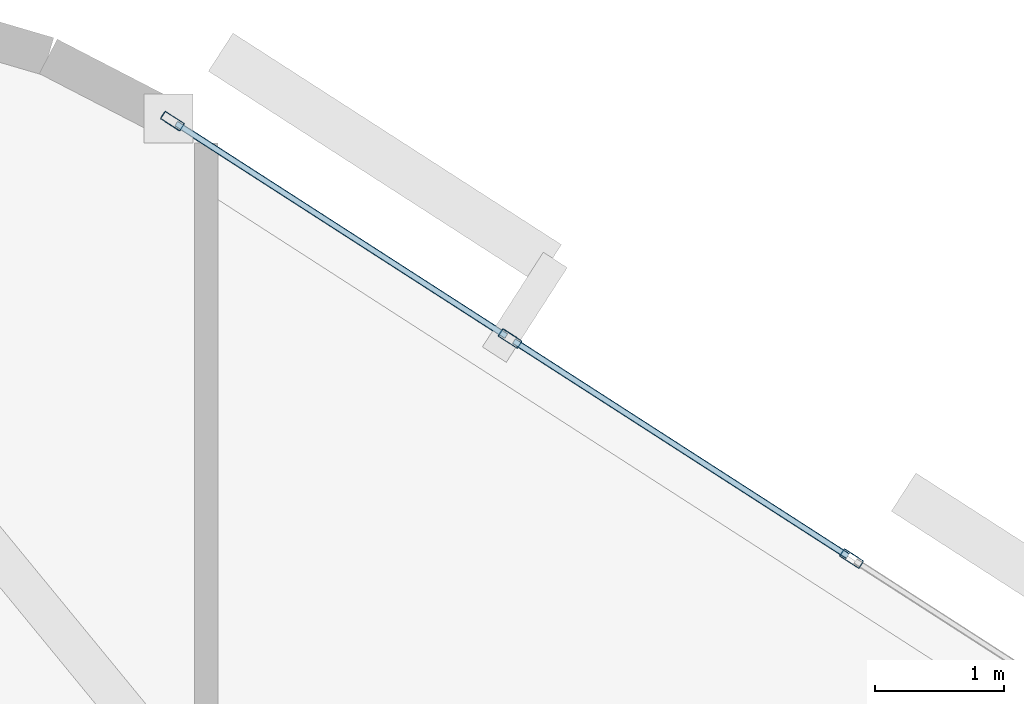
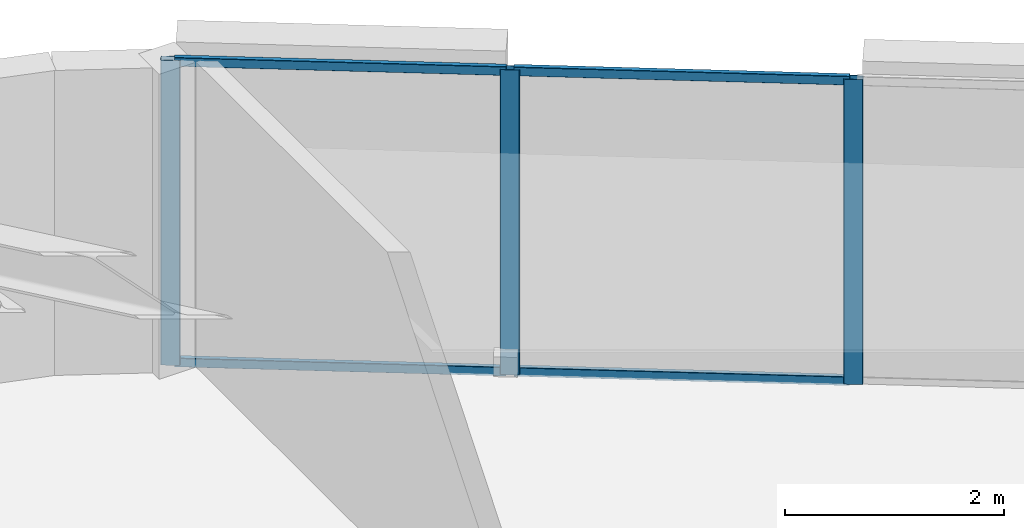
# One storey, part 8 of 14: 7 members, 1 element without a shape of its own.
"""IFC4 building model written with IfcOpenShell, lengths in metres."""

from ifc_helpers import new_model, si_unit, direction, frame, origin, origin_2d, place, context, subcontext, project, spatial, hollow_rectangle, extrude, material, layer, layer_set, material_profile, profile_set, type_object, element, aggregate, save


model = new_model("IFC4")

# Units and contexts
model_context = context("Model", 3, precision=1e-05, world=origin(), true_north=direction((0.0, 1.0)))
body_context = subcontext(model_context, "Body", "Model", "MODEL_VIEW")
ifc_project = project(units=[si_unit("LENGTHUNIT", "METRE"), si_unit("AREAUNIT", "SQUARE_METRE"), si_unit("VOLUMEUNIT", "CUBIC_METRE"), si_unit("PLANEANGLEUNIT", "RADIAN"), si_unit("MASSUNIT", "GRAM", prefix="KILO")], contexts=[model_context])

# Site, building, storey
site_placement = place(None, origin())
site = spatial("IfcSite", under=ifc_project, at=site_placement, CompositionType="ELEMENT")
building_placement = place(site_placement, origin())
building = spatial("IfcBuilding", under=site, at=building_placement, Name="An Khanh Terracotta Commons", CompositionType="ELEMENT")
storey_placement = place(building_placement, frame((0.0, 0.0, 154.60009765625)))
storey = spatial("IfcBuildingStorey", under=building, at=storey_placement, Name="L40", CompositionType="ELEMENT", Elevation=154.60009765625)

# Curtain wall, members
ifc_material = material(Name="Anodised Aluminium 6063-T6", Category="aluminium")
ifc_layer = layer(ifc_material, 0.2099609375, Name="Anodised Aluminium 6063-T6")
ifc_layer_set = layer_set([ifc_layer], Name="Anodised Aluminium 6063-T6")
curtain_wall_type = type_object("IfcCurtainWallType", Name="CW-SYS-03", PredefinedType="USERDEFINED", material=ifc_layer_set)
curtain_wall_placement = place(storey_placement, origin())
curtain_wall = element("IfcCurtainWall", 1, at=curtain_wall_placement, inside=storey, type_object=curtain_wall_type, Name="L40 CW-03 Unitised Curtain Wall CW-L40-16", ObjectType="UNITISED CURTAIN WALL", PredefinedType="USERDEFINED")
ifc_material_profile_1 = material_profile(ifc_material, hollow_rectangle(XDim=0.070068359375, YDim=0.179931640625, WallThickness=0.00390625, InnerFilletRadius=0.00390625, OuterFilletRadius=0.008056640625, at=origin_2d()), Name="RHS180x70x4")
ifc_profile_set_1 = profile_set([ifc_material_profile_1], Name="Anodised Aluminium 6063-T6")
member_type_1 = type_object("IfcMemberType", Name="CWM-RHS180x70x4", PredefinedType="MULLION", material=ifc_profile_set_1)
member_1_placement = place(storey_placement, frame((57.838623046875, 37.52392578125, 0.0), z_axis=(0.0, 0.0, 1.0), x_axis=(-0.541497931062, -0.840702081986, 0.0)))
member_1 = element("IfcMember", 2, at=member_1_placement, type_object=member_type_1, Name="CW-03 mullion 2", PredefinedType="MULLION", context=body_context, shape_type="SweptSolid", body=[
    extrude(hollow_rectangle(XDim=0.070068359375, YDim=0.179931640625, WallThickness=0.00390625, InnerFilletRadius=0.00390625, OuterFilletRadius=0.008056640625, at=origin_2d()), origin(), (0.0, 0.0, 1.0), 3.39990234375),
])
member_2_placement = place(storey_placement, frame((55.19921875, 39.22412109375, 0.0), z_axis=(0.0, 0.0, 1.0), x_axis=(-0.541497931062, -0.840702081986, 0.0)))
member_2 = element("IfcMember", 3, at=member_2_placement, type_object=member_type_1, Name="CW-03 mullion 3", PredefinedType="MULLION", context=body_context, shape_type="SweptSolid", body=[
    extrude(hollow_rectangle(XDim=0.070068359375, YDim=0.179931640625, WallThickness=0.00390625, InnerFilletRadius=0.00390625, OuterFilletRadius=0.008056640625, at=origin_2d()), origin(), (0.0, 0.0, 1.0), 3.39990234375),
])
member_3_placement = place(storey_placement, frame((52.58935546875, 40.905029296875, 0.0), z_axis=(0.0, 0.0, 1.0), x_axis=(-0.541497931062, -0.840702081986, 0.0)))
member_3 = element("IfcMember", 4, at=member_3_placement, type_object=member_type_1, Name="CW-03 mullion 4", PredefinedType="MULLION", context=body_context, shape_type="SweptSolid", body=[
    extrude(hollow_rectangle(XDim=0.070068359375, YDim=0.179931640625, WallThickness=0.00390625, InnerFilletRadius=0.00390625, OuterFilletRadius=0.008056640625, at=origin_2d()), origin(), (0.0, 0.0, 1.0), 3.39990234375),
])
ifc_material_profile_2 = material_profile(ifc_material, hollow_rectangle(XDim=0.050048828125, YDim=0.10009765625, WallThickness=0.003173828125, InnerFilletRadius=0.003173828125, OuterFilletRadius=0.00634765625, at=origin_2d()), Name="RHS100x50x3.2")
ifc_profile_set_2 = profile_set([ifc_material_profile_2], Name="Anodised Aluminium 6063-T6")
member_type_2 = type_object("IfcMemberType", Name="CWT-RHS100x50x3.2", PredefinedType="USERDEFINED", material=ifc_profile_set_2)
member_4_placement = place(storey_placement, frame((57.809326171875, 37.54296875, 0.02490234375), z_axis=(-0.840707825526, 0.54148901383, 0.0), x_axis=(-0.54148901383, -0.840707825526, 0.0)))
member_4 = element("IfcMember", 5, at=member_4_placement, type_object=member_type_2, Name="CW-03 transom 2.1", ObjectType="TRANSOM", PredefinedType="USERDEFINED", context=body_context, shape_type="SweptSolid", body=[
    extrude(hollow_rectangle(XDim=0.050048828125, YDim=0.10009765625, WallThickness=0.003173828125, InnerFilletRadius=0.003173828125, OuterFilletRadius=0.00634765625, at=origin_2d()), origin(), (0.0, 0.0, 1.0), 3.069580078125),
])
member_5_placement = place(storey_placement, frame((57.809326171875, 37.54296875, 3.375), z_axis=(-0.840707825526, 0.54148901383, 0.0), x_axis=(-0.54148901383, -0.840707825526, 0.0)))
member_5 = element("IfcMember", 6, at=member_5_placement, type_object=member_type_2, Name="CW-03 transom 2.2", ObjectType="TRANSOM", PredefinedType="USERDEFINED", context=body_context, shape_type="SweptSolid", body=[
    extrude(hollow_rectangle(XDim=0.050048828125, YDim=0.10009765625, WallThickness=0.003173828125, InnerFilletRadius=0.003173828125, OuterFilletRadius=0.00634765625, at=origin_2d()), origin(), (0.0, 0.0, 1.0), 3.069580078125),
])
member_6_placement = place(storey_placement, frame((55.169921875, 39.242919921875, 0.02490234375), z_axis=(-0.840710223453, 0.541485290826, 0.0), x_axis=(-0.541485290826, -0.840710223453, 0.0)))
member_6 = element("IfcMember", 7, at=member_6_placement, type_object=member_type_2, Name="CW-03 transom 3.1", ObjectType="TRANSOM", PredefinedType="USERDEFINED", context=body_context, shape_type="SweptSolid", body=[
    extrude(hollow_rectangle(XDim=0.050048828125, YDim=0.10009765625, WallThickness=0.003173828125, InnerFilletRadius=0.003173828125, OuterFilletRadius=0.00634765625, at=origin_2d()), origin(), (0.0, 0.0, 1.0), 3.034423828125),
])
member_7_placement = place(storey_placement, frame((55.169921875, 39.242919921875, 3.375), z_axis=(-0.840710223453, 0.541485290826, 0.0), x_axis=(-0.541485290826, -0.840710223453, 0.0)))
member_7 = element("IfcMember", 8, at=member_7_placement, type_object=member_type_2, Name="CW-03 transom 3.2", ObjectType="TRANSOM", PredefinedType="USERDEFINED", context=body_context, shape_type="SweptSolid", body=[
    extrude(hollow_rectangle(XDim=0.050048828125, YDim=0.10009765625, WallThickness=0.003173828125, InnerFilletRadius=0.003173828125, OuterFilletRadius=0.00634765625, at=origin_2d()), origin(), (0.0, 0.0, 1.0), 3.034423828125),
])
aggregate(curtain_wall, [member_1, member_2, member_3, member_4, member_5, member_6, member_7])

save(model, "model.ifc")
